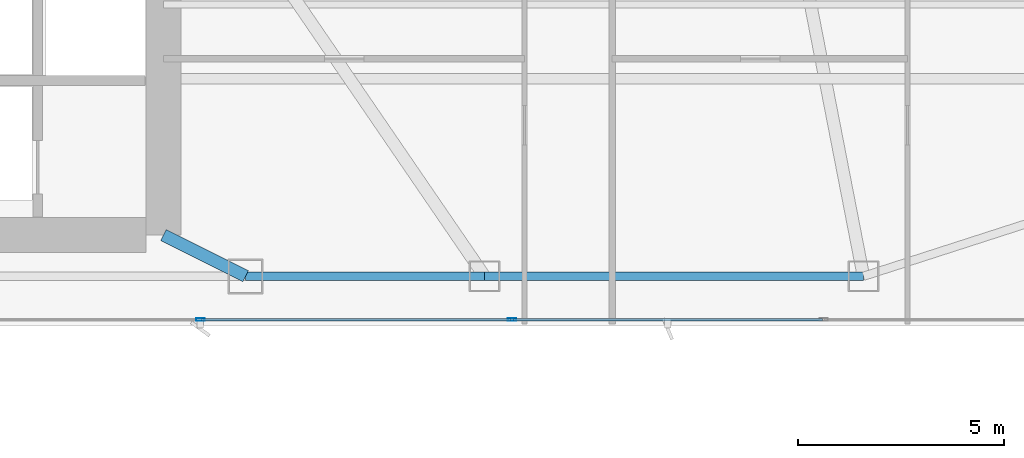
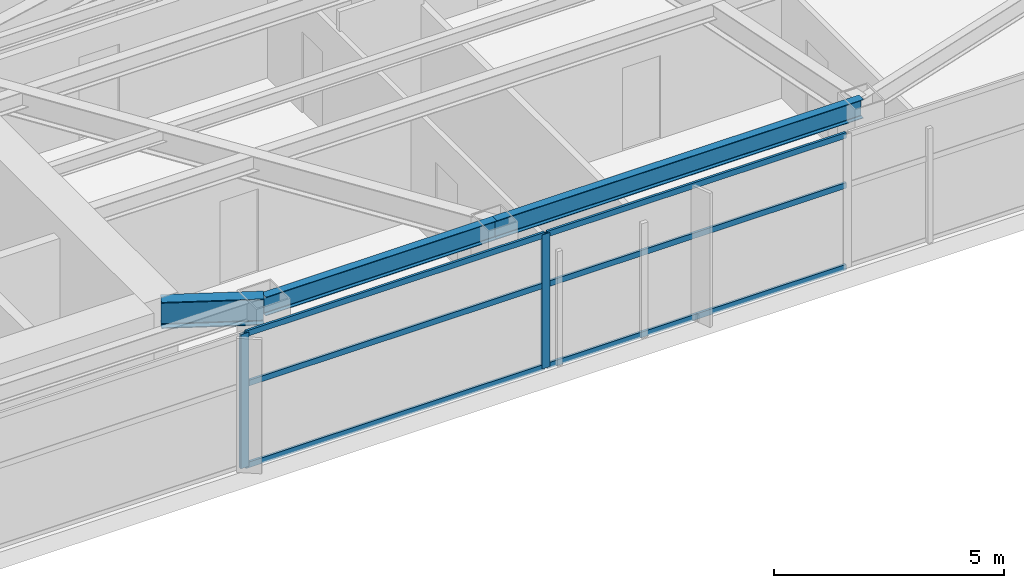
# One storey, part 12 of 28: 8 members, 3 beams, 1 element without a shape of its own.
"""IFC4 building model written with IfcOpenShell, lengths in metres."""

from ifc_helpers import new_model, si_unit, direction, frame, origin, origin_2d, place, context, subcontext, project, spatial, hollow_rectangle, i_section, extrude, material, layer, layer_set, material_profile, profile_set, type_object, element, aggregate, save


model = new_model("IFC4")

# Units and contexts
model_context = context("Model", 3, precision=1e-05, world=origin(), true_north=direction((0.0, 1.0)))
body_context = subcontext(model_context, "Body", "Model", "MODEL_VIEW")
ifc_project = project(units=[si_unit("LENGTHUNIT", "METRE"), si_unit("AREAUNIT", "SQUARE_METRE"), si_unit("VOLUMEUNIT", "CUBIC_METRE"), si_unit("PLANEANGLEUNIT", "RADIAN"), si_unit("MASSUNIT", "GRAM", prefix="KILO")], contexts=[model_context])

# Site, building, storey
site_placement = place(None, origin())
site = spatial("IfcSite", under=ifc_project, at=site_placement, CompositionType="ELEMENT")
building_placement = place(site_placement, origin())
building = spatial("IfcBuilding", under=site, at=building_placement, Name="Calvorn Quay Hotel", CompositionType="ELEMENT")
storey_placement = place(building_placement, frame((0.0, 0.0, 97.39990234375)))
storey = spatial("IfcBuildingStorey", under=building, at=storey_placement, Name="L23", CompositionType="ELEMENT", Elevation=97.39990234375)

# Beams
ifc_material_1 = material(Name="Steel Q390GJC", Category="steel")
ifc_material_profile_1 = material_profile(ifc_material_1, i_section(OverallWidth=0.300048828125, OverallDepth=0.699951171875, WebThickness=0.012939453125, FlangeThickness=0.02392578125, FilletRadius=0.02392578125, at=origin_2d()), Name="HN700x300x13x24")
ifc_profile_set_1 = profile_set([ifc_material_profile_1], Name="Steel Q390GJC")
beam_type_1 = type_object("IfcBeamType", Name="BM-GIRD-MAIN", PredefinedType="BEAM", material=ifc_profile_set_1)
beam_1_placement = place(storey_placement, frame((34.39990234375, 3.60009765625, 3.190185546875), z_axis=(-0.894427191, 0.4472135955, 0.0), x_axis=(-0.4472135955, -0.894427191, 0.0)))
element("IfcBeam", 1, at=beam_1_placement, inside=storey, type_object=beam_type_1, Name="Beam BG-L23-S3", PredefinedType="BEAM", context=body_context, shape_type="SweptSolid", body=[
    extrude(i_section(OverallWidth=0.300048828125, OverallDepth=0.699951171875, WebThickness=0.012939453125, FlangeThickness=0.02392578125, FilletRadius=0.02392578125, at=origin_2d()), origin(), (0.0, 0.0, 1.0), 2.236083984375),
])
ifc_material_2 = material(Name="Steel Q355B", Category="steel")
ifc_material_profile_2 = material_profile(ifc_material_2, i_section(OverallWidth=0.199951171875, OverallDepth=0.5, WebThickness=0.010009765625, FlangeThickness=0.01611328125, FilletRadius=0.01611328125, at=origin_2d()), Name="HN500x200x10x16")
ifc_profile_set_2 = profile_set([ifc_material_profile_2], Name="Steel Q355B")
beam_type_2 = type_object("IfcBeamType", Name="BM-SPANDREL-Z1", PredefinedType="SPANDREL", material=ifc_profile_set_2)
beam_2_placement = place(storey_placement, frame((34.39990234375, 3.60009765625, 3.2900390625), z_axis=(1.0, 0.0, 0.0), x_axis=(0.0, 1.0, 0.0)))
element("IfcBeam", 2, at=beam_2_placement, inside=storey, type_object=beam_type_2, Name="Beam BSP-L23-S4", PredefinedType="SPANDREL", context=body_context, shape_type="SweptSolid", body=[
    extrude(i_section(OverallWidth=0.199951171875, OverallDepth=0.5, WebThickness=0.010009765625, FlangeThickness=0.01611328125, FilletRadius=0.01611328125, at=origin_2d()), origin(), (0.0, 0.0, 1.0), 5.800048828125),
])
beam_3_placement = place(storey_placement, frame((40.199951171875, 3.60009765625, 3.2900390625), z_axis=(1.0, 0.0, 0.0), x_axis=(0.0, 1.0, 0.0)))
element("IfcBeam", 3, at=beam_3_placement, inside=storey, type_object=beam_type_2, Name="Beam BSP-L23-S5", PredefinedType="SPANDREL", context=body_context, shape_type="SweptSolid", body=[
    extrude(i_section(OverallWidth=0.199951171875, OverallDepth=0.5, WebThickness=0.010009765625, FlangeThickness=0.01611328125, FilletRadius=0.01611328125, at=origin_2d()), origin(), (0.0, 0.0, 1.0), 9.199951171875),
])

# Curtain wall, members
ifc_material_3 = material(Name="Pale Anodised Aluminium and Low-E Glass", Category="aluminium")
ifc_layer = layer(ifc_material_3, 0.219970703125)
ifc_layer_set = layer_set([ifc_layer], Name="CW-SYS-Z2")
curtain_wall_type = type_object("IfcCurtainWallType", Name="CW-SYS-Z2", PredefinedType="NOTDEFINED", material=ifc_layer_set)
curtain_wall_placement = place(storey_placement, origin())
curtain_wall = element("IfcCurtainWall", 4, at=curtain_wall_placement, inside=storey, type_object=curtain_wall_type, Name="Tower South Waterfront Curtain Wall (L23)", PredefinedType="NOTDEFINED")
ifc_material_4 = material(Name="Pale Anodised Aluminium 6063-T6", Category="aluminium")
ifc_material_profile_3 = material_profile(ifc_material_4, hollow_rectangle(XDim=0.070068359375, YDim=0.199951171875, WallThickness=0.00390625, at=origin_2d()), Name="ALU-M200x70x4")
ifc_profile_set_3 = profile_set([ifc_material_profile_3], Name="Pale Anodised Aluminium 6063-T6")
member_type_1 = type_object("IfcMemberType", Name="CW-SYS-Z2-MUL", PredefinedType="MULLION", material=ifc_profile_set_3)
member_1_placement = place(storey_placement, frame((33.300048828125, 2.550048828125, 0.0), z_axis=(0.0, 0.0, 1.0), x_axis=(0.0, 1.0, 0.0)))
member_1 = element("IfcMember", 5, at=member_1_placement, type_object=member_type_1, Name="CW-L23-S mullion 4", PredefinedType="MULLION", context=body_context, shape_type="SweptSolid", body=[
    extrude(hollow_rectangle(XDim=0.070068359375, YDim=0.199951171875, WallThickness=0.00390625, at=origin_2d()), origin(), (0.0, 0.0, 1.0), 3.56005859375),
])
member_2_placement = place(storey_placement, frame((40.86669921875, 2.550048828125, 0.0), z_axis=(0.0, 0.0, 1.0), x_axis=(0.0, 1.0, 0.0)))
member_2 = element("IfcMember", 6, at=member_2_placement, type_object=member_type_1, Name="CW-L23-S mullion 5", PredefinedType="MULLION", context=body_context, shape_type="SweptSolid", body=[
    extrude(hollow_rectangle(XDim=0.070068359375, YDim=0.199951171875, WallThickness=0.00390625, at=origin_2d()), origin(), (0.0, 0.0, 1.0), 3.56005859375),
])
ifc_material_5 = material(Name="Pale Anodised Aluminium 6063-T6", Category="aluminium")
ifc_material_profile_4 = material_profile(ifc_material_5, hollow_rectangle(XDim=0.06005859375, YDim=0.14990234375, WallThickness=0.00341796875, at=origin_2d()), Name="ALU-T150x60x3.5")
ifc_profile_set_4 = profile_set([ifc_material_profile_4], Name="Pale Anodised Aluminium 6063-T6")
member_type_2 = type_object("IfcMemberType", Name="CW-SYS-Z2-TRN", PredefinedType="USERDEFINED", material=ifc_profile_set_4)
member_3_placement = place(storey_placement, frame((33.330078125, 2.550048828125, 0.030029296875), z_axis=(1.0, 0.0, 0.0), x_axis=(0.0, 1.0, 0.0)))
member_3 = element("IfcMember", 7, at=member_3_placement, type_object=member_type_2, Name="CW-L23-S transom 4.1", ObjectType="TRANSOM", PredefinedType="USERDEFINED", context=body_context, shape_type="SweptSolid", body=[
    extrude(hollow_rectangle(XDim=0.06005859375, YDim=0.14990234375, WallThickness=0.00341796875, at=origin_2d()), origin(), (0.0, 0.0, 1.0), 7.506591796875),
])
member_4_placement = place(storey_placement, frame((33.330078125, 2.550048828125, 2.2001953125), z_axis=(1.0, 0.0, 0.0), x_axis=(0.0, 1.0, 0.0)))
member_4 = element("IfcMember", 8, at=member_4_placement, type_object=member_type_2, Name="CW-L23-S transom 4.2", ObjectType="TRANSOM", PredefinedType="USERDEFINED", context=body_context, shape_type="SweptSolid", body=[
    extrude(hollow_rectangle(XDim=0.06005859375, YDim=0.14990234375, WallThickness=0.00341796875, at=origin_2d()), origin(), (0.0, 0.0, 1.0), 7.506591796875),
])
member_5_placement = place(storey_placement, frame((33.330078125, 2.550048828125, 3.530029296875), z_axis=(1.0, 0.0, 0.0), x_axis=(0.0, 1.0, 0.0)))
member_5 = element("IfcMember", 9, at=member_5_placement, type_object=member_type_2, Name="CW-L23-S transom 4.3", ObjectType="TRANSOM", PredefinedType="USERDEFINED", context=body_context, shape_type="SweptSolid", body=[
    extrude(hollow_rectangle(XDim=0.06005859375, YDim=0.14990234375, WallThickness=0.00341796875, at=origin_2d()), origin(), (0.0, 0.0, 1.0), 7.506591796875),
])
member_6_placement = place(storey_placement, frame((40.896728515625, 2.550048828125, 0.030029296875), z_axis=(1.0, 0.0, 0.0), x_axis=(0.0, 1.0, 0.0)))
member_6 = element("IfcMember", 10, at=member_6_placement, type_object=member_type_2, Name="CW-L23-S transom 5.1", ObjectType="TRANSOM", PredefinedType="USERDEFINED", context=body_context, shape_type="SweptSolid", body=[
    extrude(hollow_rectangle(XDim=0.06005859375, YDim=0.14990234375, WallThickness=0.00341796875, at=origin_2d()), origin(), (0.0, 0.0, 1.0), 7.506591796875),
])
member_7_placement = place(storey_placement, frame((40.896728515625, 2.550048828125, 2.2001953125), z_axis=(1.0, 0.0, 0.0), x_axis=(0.0, 1.0, 0.0)))
member_7 = element("IfcMember", 11, at=member_7_placement, type_object=member_type_2, Name="CW-L23-S transom 5.2", ObjectType="TRANSOM", PredefinedType="USERDEFINED", context=body_context, shape_type="SweptSolid", body=[
    extrude(hollow_rectangle(XDim=0.06005859375, YDim=0.14990234375, WallThickness=0.00341796875, at=origin_2d()), origin(), (0.0, 0.0, 1.0), 7.506591796875),
])
member_8_placement = place(storey_placement, frame((40.896728515625, 2.550048828125, 3.530029296875), z_axis=(1.0, 0.0, 0.0), x_axis=(0.0, 1.0, 0.0)))
member_8 = element("IfcMember", 12, at=member_8_placement, type_object=member_type_2, Name="CW-L23-S transom 5.3", ObjectType="TRANSOM", PredefinedType="USERDEFINED", context=body_context, shape_type="SweptSolid", body=[
    extrude(hollow_rectangle(XDim=0.06005859375, YDim=0.14990234375, WallThickness=0.00341796875, at=origin_2d()), origin(), (0.0, 0.0, 1.0), 7.506591796875),
])
aggregate(curtain_wall, [member_1, member_2, member_3, member_4, member_5, member_6, member_7, member_8])

save(model, "model.ifc")
